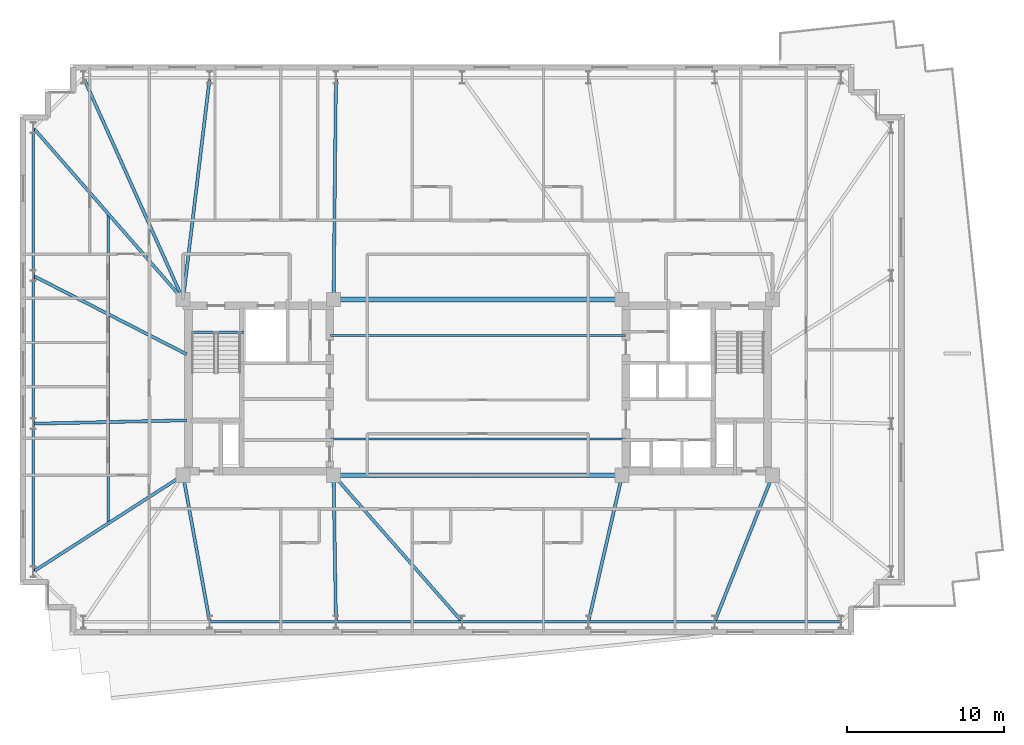
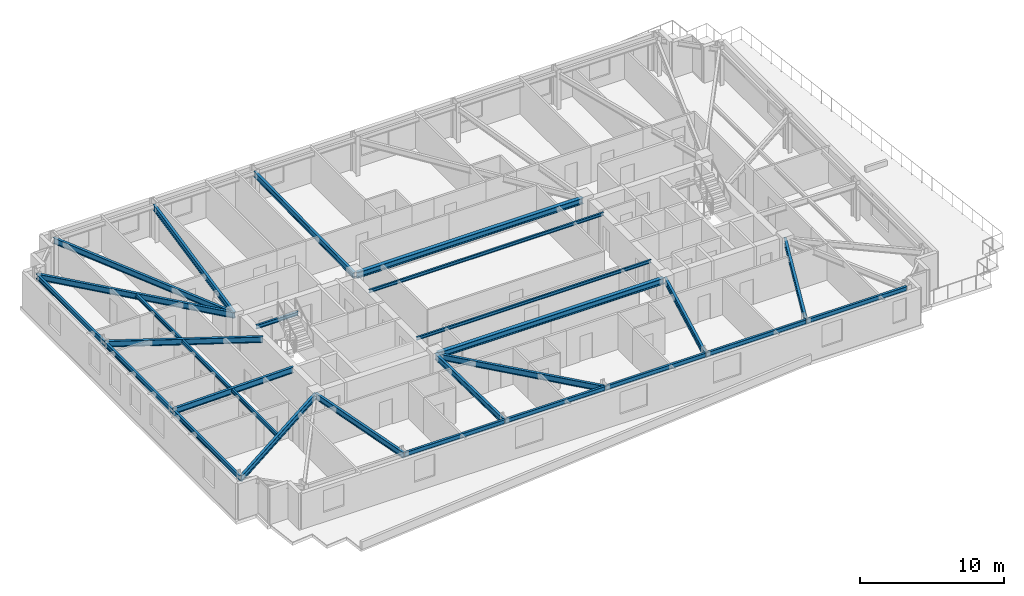
# One storey, part 4 of 19: 26 beams.
"""IFC4 building model written with IfcOpenShell, lengths in metres."""

from ifc_helpers import new_model, si_unit, direction, frame, origin, origin_2d, place, context, subcontext, project, spatial, i_section, extrude, material, material_profile, profile_set, type_object, element, save


model = new_model("IFC4")

# Units and contexts
model_context = context("Model", 3, precision=1e-05, world=origin(), true_north=direction((0.0, 1.0)))
body_context = subcontext(model_context, "Body", "Model", "MODEL_VIEW")
ifc_project = project(units=[si_unit("LENGTHUNIT", "METRE"), si_unit("AREAUNIT", "SQUARE_METRE"), si_unit("VOLUMEUNIT", "CUBIC_METRE"), si_unit("PLANEANGLEUNIT", "RADIAN"), si_unit("MASSUNIT", "GRAM", prefix="KILO")], contexts=[model_context])

# Site, building, storey
site_placement = place(None, origin())
site = spatial("IfcSite", under=ifc_project, at=site_placement, CompositionType="ELEMENT")
building_placement = place(site_placement, origin())
building = spatial("IfcBuilding", under=site, at=building_placement, Name="Qobustan Lattice House", CompositionType="ELEMENT")
storey_placement = place(building_placement, frame((0.0, 0.0, 131.0)))
storey = spatial("IfcBuildingStorey", under=building, at=storey_placement, Name="L36", CompositionType="ELEMENT", Elevation=131.0)

# Beams
ifc_material_1 = material(Name="Steel S355", Category="steel")
ifc_material_profile_1 = material_profile(ifc_material_1, i_section(OverallWidth=0.300048828125, OverallDepth=0.5, WebThickness=0.014404296875, FlangeThickness=0.028076171875, FilletRadius=0.027099609375, at=origin_2d()), Name="HEB500")
ifc_profile_set_1 = profile_set([ifc_material_profile_1], Name="Steel S355")
beam_type_1 = type_object("IfcBeamType", Name="BM-CG-HEB500", PredefinedType="USERDEFINED", material=ifc_profile_set_1)
for number, where, z_axis, x_axis, name in (
    (1, (-9.050048828125, -5.60009765625, 2.7900390625), (1.0, 0.0, 0.0), (0.0, 1.0, 0.0), "L36 core spine girder CG-CS"),
    (2, (-9.050048828125, 5.60009765625, 2.7900390625), (1.0, 0.0, 0.0), (0.0, 1.0, 0.0), "L36 core spine girder CG-CN"),
):
    element("IfcBeam", number, at=place(storey_placement, frame(where, z_axis=z_axis, x_axis=x_axis)), inside=storey, type_object=beam_type_1, Name=name, ObjectType="GIRDER", PredefinedType="USERDEFINED", context=body_context, shape_type="SweptSolid", body=[
        extrude(i_section(OverallWidth=0.300048828125, OverallDepth=0.5, WebThickness=0.014404296875, FlangeThickness=0.028076171875, FilletRadius=0.027099609375, at=origin_2d()), origin(), (0.0, 0.0, 1.0), 18.10009765625),
    ])
ifc_material_2 = material(Name="Steel S355", Category="steel")
ifc_material_profile_2 = material_profile(ifc_material_2, i_section(OverallWidth=0.199951171875, OverallDepth=0.5, WebThickness=0.01025390625, FlangeThickness=0.01611328125, FilletRadius=0.02099609375, at=origin_2d()), Name="IPE500")
ifc_profile_set_2 = profile_set([ifc_material_profile_2], Name="Steel S355")
beam_type_2 = type_object("IfcBeamType", Name="BM-FLG-IPE500", PredefinedType="USERDEFINED", material=ifc_profile_set_2)
beam_1_placement = place(storey_placement, frame((-17.1044921875, -14.92529296875, 2.7900390625), z_axis=(-0.178871801984, 0.983872389314, 0.0), x_axis=(-0.983872389314, -0.178871801984, 0.0)))
element("IfcBeam", 3, at=beam_1_placement, inside=storey, type_object=beam_type_2, Name="L36 primary floor girder RAD-S2", ObjectType="GIRDER", PredefinedType="USERDEFINED", context=body_context, shape_type="SweptSolid", body=[
    extrude(i_section(OverallWidth=0.199951171875, OverallDepth=0.5, WebThickness=0.01025390625, FlangeThickness=0.01611328125, FilletRadius=0.02099609375, at=origin_2d()), origin(), (0.0, 0.0, 1.0), 9.453125),
])
beam_2_placement = place(storey_placement, frame((-9.05029296875, -14.925048828125, 2.7900390625), z_axis=(-0.016063870849, 0.999870967702, 0.0), x_axis=(-0.999870967702, -0.016063870849, 0.0)))
element("IfcBeam", 4, at=beam_2_placement, inside=storey, type_object=beam_type_2, Name="L36 primary floor girder RAD-S3", ObjectType="GIRDER", PredefinedType="USERDEFINED", context=body_context, shape_type="SweptSolid", body=[
    extrude(i_section(OverallWidth=0.199951171875, OverallDepth=0.5, WebThickness=0.01025390625, FlangeThickness=0.01611328125, FilletRadius=0.02099609375, at=origin_2d()), origin(), (0.0, 0.0, 1.0), 9.30126953125),
])
beam_3_placement = place(storey_placement, frame((-1.0166015625, -14.93115234375, 2.7900390625), z_axis=(-0.659362380156, 0.751825279992, 0.0), x_axis=(-0.751825279992, -0.659362380156, 0.0)))
element("IfcBeam", 5, at=beam_3_placement, inside=storey, type_object=beam_type_2, Name="L36 primary floor girder RAD-S4", ObjectType="GIRDER", PredefinedType="USERDEFINED", context=body_context, shape_type="SweptSolid", body=[
    extrude(i_section(OverallWidth=0.199951171875, OverallDepth=0.5, WebThickness=0.01025390625, FlangeThickness=0.01611328125, FilletRadius=0.02099609375, at=origin_2d()), origin(), (0.0, 0.0, 1.0), 12.38623046875),
])
beam_4_placement = place(storey_placement, frame((7.0556640625, -14.925537109375, 2.7900390625), z_axis=(0.224091568854, 0.974568093449, 0.0), x_axis=(-0.974568093449, 0.224091568854, 0.0)))
element("IfcBeam", 6, at=beam_4_placement, inside=storey, type_object=beam_type_2, Name="L36 primary floor girder RAD-S5", ObjectType="GIRDER", PredefinedType="USERDEFINED", context=body_context, shape_type="SweptSolid", body=[
    extrude(i_section(OverallWidth=0.199951171875, OverallDepth=0.5, WebThickness=0.01025390625, FlangeThickness=0.01611328125, FilletRadius=0.02099609375, at=origin_2d()), origin(), (0.0, 0.0, 1.0), 9.543701171875),
])
beam_5_placement = place(storey_placement, frame((15.109130859375, -14.9267578125, 2.7900390625), z_axis=(0.367963628184, 0.929840184297, 0.0), x_axis=(-0.929840184297, 0.367963628184, 0.0)))
element("IfcBeam", 7, at=beam_5_placement, inside=storey, type_object=beam_type_2, Name="L36 primary floor girder RAD-S6", ObjectType="GIRDER", PredefinedType="USERDEFINED", context=body_context, shape_type="SweptSolid", body=[
    extrude(i_section(OverallWidth=0.199951171875, OverallDepth=0.5, WebThickness=0.01025390625, FlangeThickness=0.01611328125, FilletRadius=0.02099609375, at=origin_2d()), origin(), (0.0, 0.0, 1.0), 10.00537109375),
])
beam_6_placement = place(storey_placement, frame((-25.139892578125, 19.727294921875, 2.7900390625), z_axis=(0.409426782108, -0.912342978321, 0.0), x_axis=(0.912342978321, 0.409426782108, 0.0)))
element("IfcBeam", 8, at=beam_6_placement, inside=storey, type_object=beam_type_2, Name="L36 primary floor girder RAD-N7W", ObjectType="GIRDER", PredefinedType="USERDEFINED", context=body_context, shape_type="SweptSolid", body=[
    extrude(i_section(OverallWidth=0.199951171875, OverallDepth=0.5, WebThickness=0.01025390625, FlangeThickness=0.01611328125, FilletRadius=0.02099609375, at=origin_2d()), origin(), (0.0, 0.0, 1.0), 15.459716796875),
])
beam_7_placement = place(storey_placement, frame((-17.10302734375, 19.72509765625, 2.7900390625), z_axis=(-0.119287572963, -0.992859745854, 0.0), x_axis=(0.992859745854, -0.119287572963, 0.0)))
element("IfcBeam", 9, at=beam_7_placement, inside=storey, type_object=beam_type_2, Name="L36 primary floor girder RAD-N6", ObjectType="GIRDER", PredefinedType="USERDEFINED", context=body_context, shape_type="SweptSolid", body=[
    extrude(i_section(OverallWidth=0.199951171875, OverallDepth=0.5, WebThickness=0.01025390625, FlangeThickness=0.01611328125, FilletRadius=0.02099609375, at=origin_2d()), origin(), (0.0, 0.0, 1.0), 14.20166015625),
])
beam_8_placement = place(storey_placement, frame((-9.05029296875, 19.72509765625, 2.7900390625), z_axis=(-0.010596073732, -0.999943860035, 0.0), x_axis=(0.999943860035, -0.010596073732, 0.0)))
element("IfcBeam", 10, at=beam_8_placement, inside=storey, type_object=beam_type_2, Name="L36 primary floor girder RAD-N5", ObjectType="GIRDER", PredefinedType="USERDEFINED", context=body_context, shape_type="SweptSolid", body=[
    extrude(i_section(OverallWidth=0.199951171875, OverallDepth=0.5, WebThickness=0.01025390625, FlangeThickness=0.01611328125, FilletRadius=0.02099609375, at=origin_2d()), origin(), (0.0, 0.0, 1.0), 14.100830078125),
])
beam_9_placement = place(storey_placement, frame((-28.33349609375, 16.53125, 2.7900390625), z_axis=(0.657282573618, -0.75364422536, 0.0), x_axis=(0.75364422536, 0.657282573618, 0.0)))
element("IfcBeam", 11, at=beam_9_placement, inside=storey, type_object=beam_type_2, Name="L36 primary floor girder RAD-W1", ObjectType="GIRDER", PredefinedType="USERDEFINED", context=body_context, shape_type="SweptSolid", body=[
    extrude(i_section(OverallWidth=0.199951171875, OverallDepth=0.5, WebThickness=0.01025390625, FlangeThickness=0.01611328125, FilletRadius=0.02099609375, at=origin_2d()), origin(), (0.0, 0.0, 1.0), 14.4794921875),
])
beam_10_placement = place(storey_placement, frame((-28.32763671875, 7.105224609375, 2.7900390625), z_axis=(0.89014541584, -0.455676572426, 0.0), x_axis=(0.455676572426, 0.89014541584, 0.0)))
element("IfcBeam", 12, at=beam_10_placement, inside=storey, type_object=beam_type_2, Name="L36 primary floor girder RAD-W2", ObjectType="GIRDER", PredefinedType="USERDEFINED", context=body_context, shape_type="SweptSolid", body=[
    extrude(i_section(OverallWidth=0.199951171875, OverallDepth=0.5, WebThickness=0.01025390625, FlangeThickness=0.01611328125, FilletRadius=0.02099609375, at=origin_2d()), origin(), (0.0, 0.0, 1.0), 10.959228515625),
])
beam_11_placement = place(storey_placement, frame((-28.324951171875, -2.316162109375, 2.7900390625), z_axis=(0.999755655209, 0.022104974047, 0.0), x_axis=(-0.022104974047, 0.999755655209, 0.0)))
element("IfcBeam", 13, at=beam_11_placement, inside=storey, type_object=beam_type_2, Name="L36 primary floor girder RAD-W3", ObjectType="GIRDER", PredefinedType="USERDEFINED", context=body_context, shape_type="SweptSolid", body=[
    extrude(i_section(OverallWidth=0.199951171875, OverallDepth=0.5, WebThickness=0.01025390625, FlangeThickness=0.01611328125, FilletRadius=0.02099609375, at=origin_2d()), origin(), (0.0, 0.0, 1.0), 9.75244140625),
])
beam_12_placement = place(storey_placement, frame((-28.3291015625, -11.736572265625, 2.7900390625), z_axis=(0.840746836292, 0.5414284415, 0.0), x_axis=(-0.5414284415, 0.840746836292, 0.0)))
element("IfcBeam", 14, at=beam_12_placement, inside=storey, type_object=beam_type_2, Name="L36 primary floor girder RAD-W4", ObjectType="GIRDER", PredefinedType="USERDEFINED", context=body_context, shape_type="SweptSolid", body=[
    extrude(i_section(OverallWidth=0.199951171875, OverallDepth=0.5, WebThickness=0.01025390625, FlangeThickness=0.01611328125, FilletRadius=0.02099609375, at=origin_2d()), origin(), (0.0, 0.0, 1.0), 11.30908203125),
])
ifc_material_3 = material(Name="Steel S355", Category="steel")
ifc_material_profile_3 = material_profile(ifc_material_3, i_section(OverallWidth=0.135009765625, OverallDepth=0.27001953125, WebThickness=0.006591796875, FlangeThickness=0.01025390625, FilletRadius=0.014892578125, at=origin_2d()), Name="IPE270")
ifc_profile_set_3 = profile_set([ifc_material_profile_3], Name="Steel S355")
beam_type_3 = type_object("IfcBeamType", Name="BM-JST-IPE270", PredefinedType="JOIST", material=ifc_profile_set_3)
for number, where, z_axis, x_axis, name in (
    (15, (-9.39990234375, -3.300048828125, 2.905029296875), (1.0, 0.0, 0.0), (0.0, 1.0, 0.0), "L36 central span floor joist 1"),
    (16, (-9.39990234375, 3.300048828125, 2.905029296875), (1.0, 0.0, 0.0), (0.0, 1.0, 0.0), "L36 central span floor joist 2"),
):
    element("IfcBeam", number, at=place(storey_placement, frame(where, z_axis=z_axis, x_axis=x_axis)), inside=storey, type_object=beam_type_3, Name=name, PredefinedType="JOIST", context=body_context, shape_type="SweptSolid", body=[
        extrude(i_section(OverallWidth=0.135009765625, OverallDepth=0.27001953125, WebThickness=0.006591796875, FlangeThickness=0.01025390625, FilletRadius=0.014892578125, at=origin_2d()), origin(), (0.0, 0.0, 1.0), 18.7998046875),
    ])
ifc_material_4 = material(Name="Steel S355", Category="steel")
ifc_material_profile_4 = material_profile(ifc_material_4, i_section(OverallWidth=0.159912109375, OverallDepth=0.330078125, WebThickness=0.007568359375, FlangeThickness=0.011474609375, FilletRadius=0.01806640625, at=origin_2d()), Name="IPE330")
ifc_profile_set_4 = profile_set([ifc_material_profile_4], Name="Steel S355")
beam_type_4 = type_object("IfcBeamType", Name="BM-SEC-IPE330", PredefinedType="BEAM", material=ifc_profile_set_4)
beam_13_placement = place(storey_placement, frame((-23.574951171875, 11.074951171875, 2.875), z_axis=(0.0, -1.0, 0.0), x_axis=(1.0, 0.0, 0.0)))
element("IfcBeam", 17, at=beam_13_placement, inside=storey, type_object=beam_type_4, Name="L36 west wing secondary beam", PredefinedType="BEAM", context=body_context, shape_type="SweptSolid", body=[
    extrude(i_section(OverallWidth=0.159912109375, OverallDepth=0.330078125, WebThickness=0.007568359375, FlangeThickness=0.011474609375, FilletRadius=0.01806640625, at=origin_2d()), origin(), (0.0, 0.0, 1.0), 19.75),
])
ifc_material_5 = material(Name="Steel S355", Category="steel")
ifc_material_profile_5 = material_profile(ifc_material_5, i_section(OverallWidth=0.159912109375, OverallDepth=0.330078125, WebThickness=0.007568359375, FlangeThickness=0.011474609375, FilletRadius=0.01806640625, at=origin_2d()), Name="IPE330")
ifc_profile_set_5 = profile_set([ifc_material_profile_5], Name="Steel S355")
beam_type_5 = type_object("IfcBeamType", Name="BM-SPD-IPE330", PredefinedType="SPANDREL", material=ifc_profile_set_5)
beam_14_placement = place(storey_placement, frame((-18.300048828125, 3.52001953125, 2.875), z_axis=(1.0, 0.0, 0.0), x_axis=(0.0, 1.0, 0.0)))
element("IfcBeam", 18, at=beam_14_placement, inside=storey, type_object=beam_type_5, Name="L36 west stair landing trimmer beam", PredefinedType="SPANDREL", context=body_context, shape_type="SweptSolid", body=[
    extrude(i_section(OverallWidth=0.159912109375, OverallDepth=0.330078125, WebThickness=0.007568359375, FlangeThickness=0.011474609375, FilletRadius=0.01806640625, at=origin_2d()), origin(), (0.0, 0.0, 1.0), 3.35009765625),
])
ifc_material_6 = material(Name="Steel S355", Category="steel")
ifc_material_profile_6 = material_profile(ifc_material_6, i_section(OverallWidth=0.179931640625, OverallDepth=0.39990234375, WebThickness=0.008544921875, FlangeThickness=0.013427734375, FilletRadius=0.02099609375, at=origin_2d()), Name="IPE400")
ifc_profile_set_6 = profile_set([ifc_material_profile_6], Name="Steel S355")
beam_type_6 = type_object("IfcBeamType", Name="BM-SPD-IPE400", PredefinedType="SPANDREL", material=ifc_profile_set_6)
for number, where, z_axis, x_axis, name in (
    (19, (-17.074951171875, -14.949951171875, 2.840087890625), (1.0, 0.0, 0.0), (0.0, 1.0, 0.0), "L36 perimeter spandrel S2-S3"),
    (20, (-9.02490234375, -14.949951171875, 2.840087890625), (1.0, 0.0, 0.0), (0.0, 1.0, 0.0), "L36 perimeter spandrel S3-S4"),
    (21, (-0.97509765625, -14.949951171875, 2.840087890625), (1.0, 0.0, 0.0), (0.0, 1.0, 0.0), "L36 perimeter spandrel S4-S5"),
    (22, (7.074951171875, -14.949951171875, 2.840087890625), (1.0, 0.0, 0.0), (0.0, 1.0, 0.0), "L36 perimeter spandrel S5-S6"),
    (23, (15.125, -14.949951171875, 2.840087890625), (1.0, 0.0, 0.0), (0.0, 1.0, 0.0), "L36 perimeter spandrel S6-S7"),
):
    element("IfcBeam", number, at=place(storey_placement, frame(where, z_axis=z_axis, x_axis=x_axis)), inside=storey, type_object=beam_type_6, Name=name, PredefinedType="SPANDREL", context=body_context, shape_type="SweptSolid", body=[
        extrude(i_section(OverallWidth=0.179931640625, OverallDepth=0.39990234375, WebThickness=0.008544921875, FlangeThickness=0.013427734375, FilletRadius=0.02099609375, at=origin_2d()), origin(), (0.0, 0.0, 1.0), 8.0),
    ])
beam_15_placement = place(storey_placement, frame((-28.35009765625, 16.52490234375, 2.840087890625), z_axis=(0.0, -1.0, 0.0), x_axis=(1.0, 0.0, 0.0)))
element("IfcBeam", 24, at=beam_15_placement, inside=storey, type_object=beam_type_6, Name="L36 perimeter spandrel W1-W2", PredefinedType="SPANDREL", context=body_context, shape_type="SweptSolid", body=[
    extrude(i_section(OverallWidth=0.179931640625, OverallDepth=0.39990234375, WebThickness=0.008544921875, FlangeThickness=0.013427734375, FilletRadius=0.02099609375, at=origin_2d()), origin(), (0.0, 0.0, 1.0), 9.38330078125),
])
beam_16_placement = place(storey_placement, frame((-28.35009765625, 7.091796875, 2.840087890625), z_axis=(0.0, -1.0, 0.0), x_axis=(1.0, 0.0, 0.0)))
element("IfcBeam", 25, at=beam_16_placement, inside=storey, type_object=beam_type_6, Name="L36 perimeter spandrel W2-W3", PredefinedType="SPANDREL", context=body_context, shape_type="SweptSolid", body=[
    extrude(i_section(OverallWidth=0.179931640625, OverallDepth=0.39990234375, WebThickness=0.008544921875, FlangeThickness=0.013427734375, FilletRadius=0.02099609375, at=origin_2d()), origin(), (0.0, 0.0, 1.0), 9.383544921875),
])
beam_17_placement = place(storey_placement, frame((-28.35009765625, -2.341796875, 2.840087890625), z_axis=(0.0, -1.0, 0.0), x_axis=(1.0, 0.0, 0.0)))
element("IfcBeam", 26, at=beam_17_placement, inside=storey, type_object=beam_type_6, Name="L36 perimeter spandrel W3-W4", PredefinedType="SPANDREL", context=body_context, shape_type="SweptSolid", body=[
    extrude(i_section(OverallWidth=0.179931640625, OverallDepth=0.39990234375, WebThickness=0.008544921875, FlangeThickness=0.013427734375, FilletRadius=0.02099609375, at=origin_2d()), origin(), (0.0, 0.0, 1.0), 9.38330078125),
])

save(model, "model.ifc")
